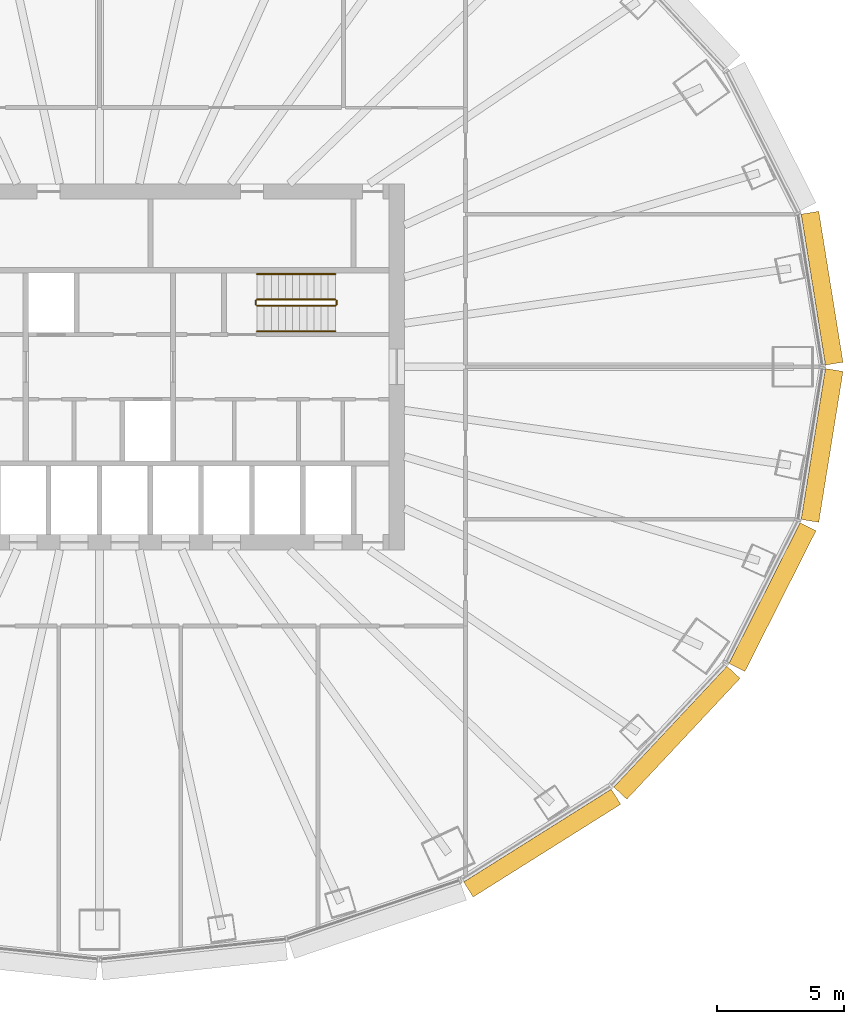
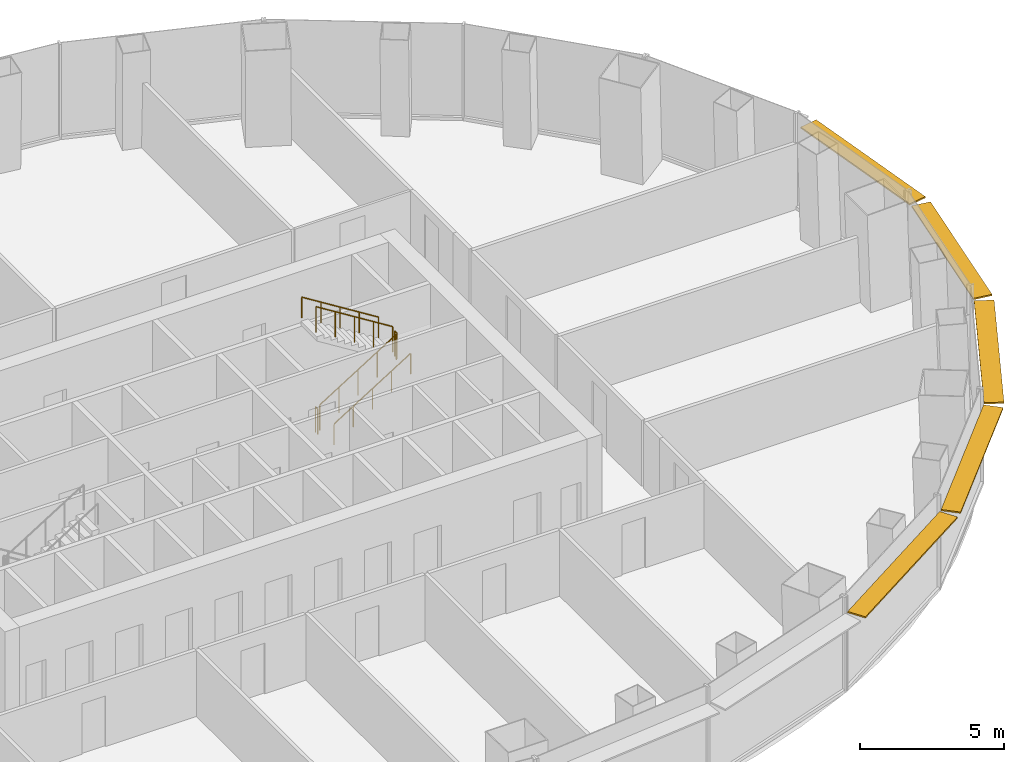
# One storey, part 12 of 13: 6 railings, 5 shading devices.
"""IFC4 building model written with IfcOpenShell, lengths in metres."""

from ifc_helpers import new_model, si_unit, direction, frame, origin, origin_2d, place, context, subcontext, project, spatial, rectangle, circle, extrude, material, layer, layer_set, type_object, element, save


model = new_model("IFC4")

# Units and contexts
model_context = context("Model", 3, precision=1e-05, world=origin(), true_north=direction((0.0, 1.0)))
body_context = subcontext(model_context, "Body", "Model", "MODEL_VIEW")
ifc_project = project(units=[si_unit("LENGTHUNIT", "METRE"), si_unit("AREAUNIT", "SQUARE_METRE"), si_unit("VOLUMEUNIT", "CUBIC_METRE"), si_unit("PLANEANGLEUNIT", "RADIAN"), si_unit("MASSUNIT", "GRAM", prefix="KILO")], contexts=[model_context])

# Site, building, storey
site_placement = place(None, origin())
site = spatial("IfcSite", under=ifc_project, at=site_placement, CompositionType="ELEMENT")
building_placement = place(site_placement, origin())
building = spatial("IfcBuilding", under=site, at=building_placement, Name="Siaravel Broadcast Tower", CompositionType="ELEMENT")
storey_placement = place(building_placement, frame((0.0, 0.0, 32.89990234375)))
storey = spatial("IfcBuildingStorey", under=building, at=storey_placement, Name="L06", CompositionType="ELEMENT", Elevation=32.89990234375)

# Shading devices
ifc_material_1 = material(Name="Bronze anodised aluminium", Category="aluminium")
ifc_layer = layer(ifc_material_1, 0.06005859375)
ifc_layer_set = layer_set([ifc_layer], Name="Bronze anodised aluminium")
shading_device_type = type_object("IfcShadingDeviceType", Name="Brise-soleil band", PredefinedType="USERDEFINED", material=ifc_layer_set)
shading_device_1_placement = place(storey_placement, frame((28.435546875, 3.093505859375, 3.320068359375), z_axis=(0.0, 0.0, 1.0), x_axis=(-0.158685394, 0.987329198, 0.0)))
element("IfcShadingDevice", 1, at=shading_device_1_placement, inside=storey, type_object=shading_device_type, Name="L06 brise-soleil band 01", ObjectType="SUNSHADE", PredefinedType="USERDEFINED", context=body_context, shape_type="SweptSolid", body=[
    extrude(rectangle(XDim=6.0146484375, YDim=0.699951171875, at=origin_2d()), origin(), (0.0, 0.0, 1.0), 0.06005859375),
])
shading_device_2_placement = place(storey_placement, frame((17.42138671875, -18.742431640625, 3.320068359375), z_axis=(0.0, 0.0, 1.0), x_axis=(0.846651365, 0.532147974, 0.0)))
element("IfcShadingDevice", 2, at=shading_device_2_placement, inside=storey, type_object=shading_device_type, Name="L06 brise-soleil band 21", ObjectType="SUNSHADE", PredefinedType="USERDEFINED", context=body_context, shape_type="SweptSolid", body=[
    extrude(rectangle(XDim=6.860107421875, YDim=0.699951171875, at=origin_2d()), origin(), (0.0, 0.0, 1.0), 0.06005859375),
])
shading_device_3_placement = place(storey_placement, frame((22.722900390625, -14.399169921875, 3.320068359375), z_axis=(0.0, 0.0, 1.0), x_axis=(0.683655992, 0.729804415, 0.0)))
element("IfcShadingDevice", 3, at=shading_device_3_placement, inside=storey, type_object=shading_device_type, Name="L06 brise-soleil band 22", ObjectType="SUNSHADE", PredefinedType="USERDEFINED", context=body_context, shape_type="SweptSolid", body=[
    extrude(rectangle(XDim=6.51611328125, YDim=0.699951171875, at=origin_2d()), origin(), (0.0, 0.0, 1.0), 0.06005859375),
])
shading_device_4_placement = place(storey_placement, frame((26.4833984375, -9.06298828125, 3.320068359375), z_axis=(0.0, 0.0, 1.0), x_axis=(0.451262289, 0.892391364, 0.0)))
element("IfcShadingDevice", 4, at=shading_device_4_placement, inside=storey, type_object=shading_device_type, Name="L06 brise-soleil band 23", ObjectType="SUNSHADE", PredefinedType="USERDEFINED", context=body_context, shape_type="SweptSolid", body=[
    extrude(rectangle(XDim=6.20263671875, YDim=0.699951171875, at=origin_2d()), origin(), (0.0, 0.0, 1.0), 0.06005859375),
])
shading_device_5_placement = place(storey_placement, frame((28.435546875, -3.093505859375, 3.320068359375), z_axis=(0.0, 0.0, 1.0), x_axis=(0.158685394, 0.987329198, 0.0)))
element("IfcShadingDevice", 5, at=shading_device_5_placement, inside=storey, type_object=shading_device_type, Name="L06 brise-soleil band 24", ObjectType="SUNSHADE", PredefinedType="USERDEFINED", context=body_context, shape_type="SweptSolid", body=[
    extrude(rectangle(XDim=6.0146484375, YDim=0.699951171875, at=origin_2d()), origin(), (0.0, 0.0, 1.0), 0.06005859375),
])

# Railings
ifc_material_2 = material(Name="Stainless steel 316L", Category="steel")
railing_type_1 = type_object("IfcRailingType", Name="Stair guard 1100", PredefinedType="GUARDRAIL", material=ifc_material_2)
railing_1_placement = place(storey_placement, frame((6.199951171875, 2.39990234375, 0.175048828125)))
element("IfcRailing", 6, at=railing_1_placement, inside=storey, type_object=railing_type_1, Name="L06 ST-2 stair guard 1", PredefinedType="GUARDRAIL", context=body_context, shape_type="SweptSolid", body=[
    extrude(circle(Radius=0.02392578125, at=origin_2d()), frame((0.0, 0.0, 1.076171875), z_axis=(0.847998304, 0.0, 0.52999894), x_axis=(0.0, 1.0, 0.0)), (0.0, 0.0, 1.0), 3.632080078125),
    extrude(circle(Radius=0.02099609375, at=origin_2d()), origin(), (0.0, 0.0, 1.0), 1.052001953125),
    extrude(circle(Radius=0.02099609375, at=origin_2d()), frame((0.77001953125, 0.0, 0.481201171875)), (0.0, 0.0, 1.0), 1.052001953125),
    extrude(circle(Radius=0.02099609375, at=origin_2d()), frame((1.5400390625, 0.0, 0.96240234375)), (0.0, 0.0, 1.0), 1.052001953125),
    extrude(circle(Radius=0.02099609375, at=origin_2d()), frame((2.31005859375, 0.0, 1.44384765625)), (0.0, 0.0, 1.0), 1.052001953125),
    extrude(circle(Radius=0.02099609375, at=origin_2d()), frame((3.080078125, 0.0, 1.925048828125)), (0.0, 0.0, 1.0), 1.052001953125),
])
railing_2_placement = place(storey_placement, frame((9.330078125, 2.449951171875, 2.10009765625)))
element("IfcRailing", 7, at=railing_2_placement, inside=storey, type_object=railing_type_1, Name="L06 ST-2 stair guard 2", PredefinedType="GUARDRAIL", context=body_context, shape_type="SweptSolid", body=[
    extrude(circle(Radius=0.02392578125, at=origin_2d()), frame((0.0, 0.0, 1.076171875), z_axis=(0.0, 1.0, 0.0), x_axis=(-1.0, 0.0, 0.0)), (0.0, 0.0, 1.0), 0.150146484375),
    extrude(circle(Radius=0.02099609375, at=origin_2d()), origin(), (0.0, 0.0, 1.0), 1.052001953125),
    extrude(circle(Radius=0.02099609375, at=origin_2d()), frame((0.0, 0.150146484375, 0.0)), (0.0, 0.0, 1.0), 1.052001953125),
])
railing_3_placement = place(storey_placement, frame((9.280029296875, 2.64990234375, 2.275146484375)))
element("IfcRailing", 8, at=railing_3_placement, inside=storey, type_object=railing_type_1, Name="L06 ST-2 stair guard 3", PredefinedType="GUARDRAIL", context=body_context, shape_type="SweptSolid", body=[
    extrude(circle(Radius=0.02392578125, at=origin_2d()), frame((0.0, 0.0, 1.076171875), z_axis=(-0.847998304, 0.0, 0.52999894), x_axis=(0.0, -1.0, 0.0)), (0.0, 0.0, 1.0), 3.632080078125),
    extrude(circle(Radius=0.02099609375, at=origin_2d()), origin(), (0.0, 0.0, 1.0), 1.052001953125),
    extrude(circle(Radius=0.02099609375, at=origin_2d()), frame((-0.77001953125, 0.0, 0.481201171875)), (0.0, 0.0, 1.0), 1.052001953125),
    extrude(circle(Radius=0.02099609375, at=origin_2d()), frame((-1.5400390625, 0.0, 0.96240234375)), (0.0, 0.0, 1.0), 1.052001953125),
    extrude(circle(Radius=0.02099609375, at=origin_2d()), frame((-2.31005859375, 0.0, 1.44384765625)), (0.0, 0.0, 1.0), 1.052001953125),
    extrude(circle(Radius=0.02099609375, at=origin_2d()), frame((-3.080078125, 0.0, 1.925048828125)), (0.0, 0.0, 1.0), 1.052001953125),
])
railing_4_placement = place(storey_placement, frame((6.14990234375, 2.449951171875, 0.0)))
element("IfcRailing", 9, at=railing_4_placement, inside=storey, type_object=railing_type_1, Name="L06 ST-2 stair guard 4", PredefinedType="GUARDRAIL", context=body_context, shape_type="SweptSolid", body=[
    extrude(circle(Radius=0.02392578125, at=origin_2d()), frame((0.0, 0.0, 1.076171875), z_axis=(0.0, 1.0, 0.0), x_axis=(-1.0, 0.0, 0.0)), (0.0, 0.0, 1.0), 0.150146484375),
    extrude(circle(Radius=0.02099609375, at=origin_2d()), origin(), (0.0, 0.0, 1.0), 1.052001953125),
    extrude(circle(Radius=0.02099609375, at=origin_2d()), frame((0.0, 0.150146484375, 0.0)), (0.0, 0.0, 1.0), 1.052001953125),
])
railing_type_2 = type_object("IfcRailingType", Name="Stair handrail 900", PredefinedType="HANDRAIL", material=ifc_material_2)
railing_5_placement = place(storey_placement, frame((6.199951171875, 1.39990234375, 0.175048828125)))
element("IfcRailing", 10, at=railing_5_placement, inside=storey, type_object=railing_type_2, Name="L06 ST-2 stair handrail 1", PredefinedType="HANDRAIL", context=body_context, shape_type="SweptSolid", body=[
    extrude(circle(Radius=0.02392578125, at=origin_2d()), frame((0.0, 0.0, 0.8759765625), z_axis=(0.847998304, 0.0, 0.52999894), x_axis=(0.0, 1.0, 0.0)), (0.0, 0.0, 1.0), 3.632080078125),
    extrude(circle(Radius=0.02099609375, at=origin_2d()), origin(), (0.0, 0.0, 1.0), 0.851806640625),
    extrude(circle(Radius=0.02099609375, at=origin_2d()), frame((0.77001953125, 0.0, 0.481201171875)), (0.0, 0.0, 1.0), 0.851806640625),
    extrude(circle(Radius=0.02099609375, at=origin_2d()), frame((1.5400390625, 0.0, 0.96240234375)), (0.0, 0.0, 1.0), 0.851806640625),
    extrude(circle(Radius=0.02099609375, at=origin_2d()), frame((2.31005859375, 0.0, 1.44384765625)), (0.0, 0.0, 1.0), 0.851806640625),
    extrude(circle(Radius=0.02099609375, at=origin_2d()), frame((3.080078125, 0.0, 1.925048828125)), (0.0, 0.0, 1.0), 0.851806640625),
])
railing_6_placement = place(storey_placement, frame((9.280029296875, 3.64990234375, 2.275146484375)))
element("IfcRailing", 11, at=railing_6_placement, inside=storey, type_object=railing_type_2, Name="L06 ST-2 stair handrail 2", PredefinedType="HANDRAIL", context=body_context, shape_type="SweptSolid", body=[
    extrude(circle(Radius=0.02392578125, at=origin_2d()), frame((0.0, 0.0, 0.8759765625), z_axis=(-0.847998304, 0.0, 0.52999894), x_axis=(0.0, -1.0, 0.0)), (0.0, 0.0, 1.0), 3.632080078125),
    extrude(circle(Radius=0.02099609375, at=origin_2d()), origin(), (0.0, 0.0, 1.0), 0.851806640625),
    extrude(circle(Radius=0.02099609375, at=origin_2d()), frame((-0.77001953125, 0.0, 0.481201171875)), (0.0, 0.0, 1.0), 0.851806640625),
    extrude(circle(Radius=0.02099609375, at=origin_2d()), frame((-1.5400390625, 0.0, 0.96240234375)), (0.0, 0.0, 1.0), 0.851806640625),
    extrude(circle(Radius=0.02099609375, at=origin_2d()), frame((-2.31005859375, 0.0, 1.44384765625)), (0.0, 0.0, 1.0), 0.851806640625),
    extrude(circle(Radius=0.02099609375, at=origin_2d()), frame((-3.080078125, 0.0, 1.925048828125)), (0.0, 0.0, 1.0), 0.851806640625),
])

save(model, "model.ifc")
